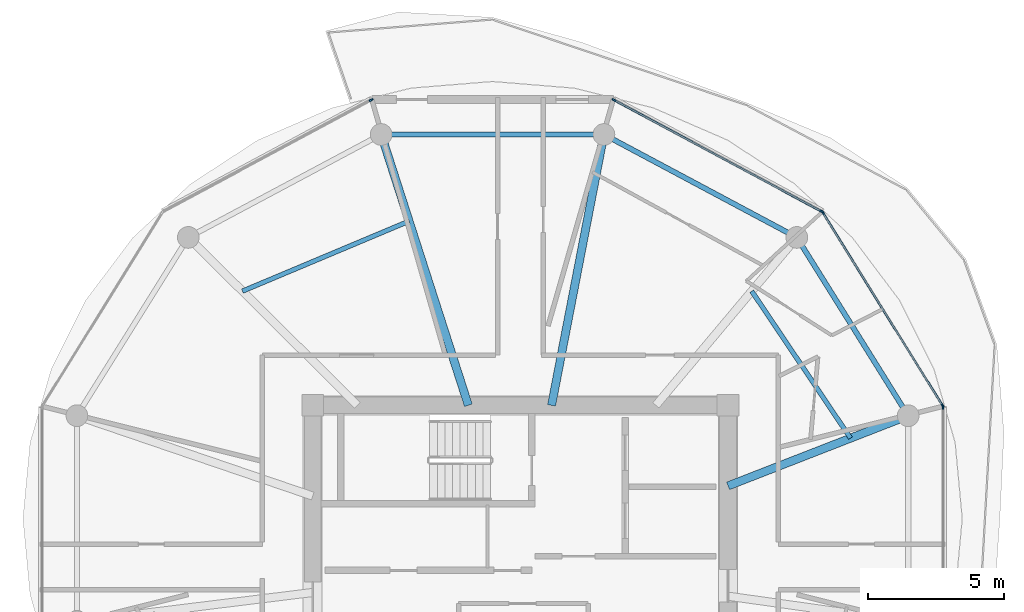
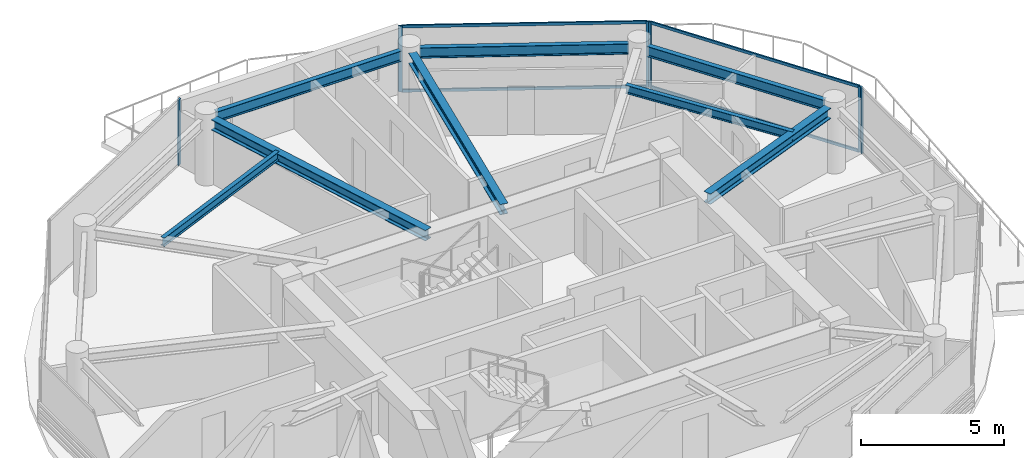
# One storey, part 10 of 22: 10 members, 8 beams, 4 elements without a shape of their own.
"""IFC4 building model written with IfcOpenShell, lengths in metres."""

from ifc_helpers import new_model, si_unit, direction, frame, origin, origin_2d, place, context, subcontext, project, spatial, rectangle, i_section, extrude, source, transform, mapped, material, layer, layer_set, material_profile, profile_set, type_object, type_shapes, element, aggregate, save


model = new_model("IFC4")

# Units and contexts
model_context = context("Model", 3, precision=1e-05, world=origin(), true_north=direction((0.0, 1.0)))
body_context = subcontext(model_context, "Body", "Model", "MODEL_VIEW")
ifc_project = project(units=[si_unit("LENGTHUNIT", "METRE"), si_unit("AREAUNIT", "SQUARE_METRE"), si_unit("VOLUMEUNIT", "CUBIC_METRE"), si_unit("PLANEANGLEUNIT", "RADIAN"), si_unit("MASSUNIT", "GRAM", prefix="KILO")], contexts=[model_context])

# Site, building, storey
site_placement = place(None, origin())
site = spatial("IfcSite", under=ifc_project, at=site_placement, CompositionType="ELEMENT")
building_placement = place(site_placement, origin())
building = spatial("IfcBuilding", under=site, at=building_placement, Name="Norrkilde Senior Care Towers", CompositionType="ELEMENT")
storey_placement = place(building_placement, frame((0.0, 0.0, 170.89990234375)))
storey = spatial("IfcBuildingStorey", under=building, at=storey_placement, Name="L53", CompositionType="ELEMENT", Elevation=170.89990234375)

# Beams
ifc_material_1 = material(Name="Steel S355", Category="steel")
ifc_material_profile_1 = material_profile(ifc_material_1, i_section(OverallWidth=0.18994140625, OverallDepth=0.449951171875, WebThickness=0.009521484375, FlangeThickness=0.0146484375, FilletRadius=0.02099609375, at=origin_2d()), Name="IPE 450")
ifc_profile_set_1 = profile_set([ifc_material_profile_1], Name="Steel S355")
beam_type_1 = type_object("IfcBeamType", Name="Perimeter Ring Spandrel Z3 IPE450", PredefinedType="SPANDREL", material=ifc_profile_set_1)
shared_shape_1 = source(origin(), body_context, "Body", "SweptSolid", [
    extrude(i_section(OverallWidth=0.18994140625, OverallDepth=0.449951171875, WebThickness=0.009521484375, FlangeThickness=0.0146484375, FilletRadius=0.02099609375, at=origin_2d()), origin(), (0.0, 0.0, 1.0), 7.0234375),
])
beam_1_placement = place(storey_placement, frame((42.09423828125, 5.872314453125, 2.585205078125), z_axis=(-0.529789577822, 0.848129119433, 0.0), x_axis=(-0.848129119433, -0.529789577822, 0.0)))
element("IfcBeam", 1, at=beam_1_placement, inside=storey, type_object=beam_type_1, Name="L53 Drum E Perimeter Spandrel 01", PredefinedType="SPANDREL", context=body_context, shape_type="MappedRepresentation", body=[
    mapped(shared_shape_1, transform((0.0, 0.0, 0.0), x_axis=(1.0, 0.0, 0.0), y_axis=(0.0, 1.0, 0.0), z_axis=(0.0, 0.0, 1.0), scale=1.0)),
])
shared_shape_2 = source(origin(), body_context, "Body", "SweptSolid", [
    extrude(i_section(OverallWidth=0.18994140625, OverallDepth=0.449951171875, WebThickness=0.009521484375, FlangeThickness=0.0146484375, FilletRadius=0.02099609375, at=origin_2d()), origin(), (0.0, 0.0, 1.0), 7.333740234375),
])
beam_2_placement = place(storey_placement, frame((37.864990234375, 12.303955078125, 2.585205078125), z_axis=(-0.882247866069, 0.470785198172, 0.0), x_axis=(-0.470785198172, -0.882247866069, 0.0)))
element("IfcBeam", 2, at=beam_2_placement, inside=storey, type_object=beam_type_1, Name="L53 Drum E Perimeter Spandrel 02", PredefinedType="SPANDREL", context=body_context, shape_type="MappedRepresentation", body=[
    mapped(shared_shape_2, transform((0.0, 0.0, 0.0), x_axis=(1.0, 0.0, 0.0), y_axis=(0.0, 1.0, 0.0), z_axis=(0.0, 0.0, 1.0), scale=1.0)),
])
shared_shape_3 = source(origin(), body_context, "Body", "SweptSolid", [
    extrude(i_section(OverallWidth=0.18994140625, OverallDepth=0.449951171875, WebThickness=0.009521484375, FlangeThickness=0.0146484375, FilletRadius=0.02099609375, at=origin_2d()), origin(), (0.0, 0.0, 1.0), 7.484619140625),
])
type_shapes(beam_type_1, [shared_shape_1, shared_shape_2, shared_shape_3])
beam_3_placement = place(storey_placement, frame((30.71728515625, 15.92626953125, 2.585205078125), z_axis=(-1.0, 0.0, 0.0), x_axis=(0.0, -1.0, 0.0)))
element("IfcBeam", 3, at=beam_3_placement, inside=storey, type_object=beam_type_1, Name="L53 Drum E Perimeter Spandrel 03", PredefinedType="SPANDREL", context=body_context, shape_type="MappedRepresentation", body=[
    mapped(shared_shape_3, transform((0.0, 0.0, 0.0), x_axis=(1.0, 0.0, 0.0), y_axis=(0.0, 1.0, 0.0), z_axis=(0.0, 0.0, 1.0), scale=1.0)),
])
ifc_material_profile_2 = material_profile(ifc_material_1, i_section(OverallWidth=0.300048828125, OverallDepth=0.449951171875, WebThickness=0.013916015625, FlangeThickness=0.02587890625, FilletRadius=0.027099609375, at=origin_2d()), Name="HEB 450")
ifc_profile_set_2 = profile_set([ifc_material_profile_2], Name="Steel S355")
beam_type_2 = type_object("IfcBeamType", Name="Radial Floor Beam Z3 HEB450", PredefinedType="BEAM", material=ifc_profile_set_2)
shared_shape_4 = source(origin(), body_context, "Body", "SweptSolid", [
    extrude(i_section(OverallWidth=0.300048828125, OverallDepth=0.449951171875, WebThickness=0.013916015625, FlangeThickness=0.02587890625, FilletRadius=0.027099609375, at=origin_2d()), origin(), (0.0, 0.0, 1.0), 10.120361328125),
])
beam_4_placement = place(storey_placement, frame((26.08447265625, 5.949951171875, 2.585205078125), z_axis=(-0.306440973744, 0.951889662519, 0.0), x_axis=(-0.951889662519, -0.306440973744, 0.0)))
element("IfcBeam", 4, at=beam_4_placement, inside=storey, type_object=beam_type_2, Name="L53 Drum E Radial Floor Beam 04", PredefinedType="BEAM", context=body_context, shape_type="MappedRepresentation", body=[
    mapped(shared_shape_4, transform((0.0, 0.0, 0.0), x_axis=(1.0, 0.0, 0.0), y_axis=(0.0, 1.0, 0.0), z_axis=(0.0, 0.0, 1.0), scale=1.0)),
])
shared_shape_5 = source(origin(), body_context, "Body", "SweptSolid", [
    extrude(i_section(OverallWidth=0.300048828125, OverallDepth=0.449951171875, WebThickness=0.013916015625, FlangeThickness=0.02587890625, FilletRadius=0.027099609375, at=origin_2d()), origin(), (0.0, 0.0, 1.0), 9.80078125),
])
beam_5_placement = place(storey_placement, frame((29.149658203125, 5.949951171875, 2.585205078125), z_axis=(0.189716727661, 0.98183886827, 0.0), x_axis=(-0.98183886827, 0.189716727661, 0.0)))
element("IfcBeam", 5, at=beam_5_placement, inside=storey, type_object=beam_type_2, Name="L53 Drum E Radial Floor Beam 03", PredefinedType="BEAM", context=body_context, shape_type="MappedRepresentation", body=[
    mapped(shared_shape_5, transform((0.0, 0.0, 0.0), x_axis=(1.0, 0.0, 0.0), y_axis=(0.0, 1.0, 0.0), z_axis=(0.0, 0.0, 1.0), scale=1.0)),
])
shared_shape_6 = source(origin(), body_context, "Body", "SweptSolid", [
    extrude(i_section(OverallWidth=0.300048828125, OverallDepth=0.449951171875, WebThickness=0.013916015625, FlangeThickness=0.02587890625, FilletRadius=0.027099609375, at=origin_2d()), origin(), (0.0, 0.0, 1.0), 6.760986328125),
])
type_shapes(beam_type_2, [shared_shape_4, shared_shape_5, shared_shape_6])
beam_6_placement = place(storey_placement, frame((35.64990234375, 2.981201171875, 2.585205078125), z_axis=(0.931742171387, 0.363120539297, 0.0), x_axis=(-0.363120539297, 0.931742171387, 0.0)))
element("IfcBeam", 6, at=beam_6_placement, inside=storey, type_object=beam_type_2, Name="L53 Drum E Radial Floor Beam 01", PredefinedType="BEAM", context=body_context, shape_type="MappedRepresentation", body=[
    mapped(shared_shape_6, transform((0.0, 0.0, 0.0), x_axis=(1.0, 0.0, 0.0), y_axis=(0.0, 1.0, 0.0), z_axis=(0.0, 0.0, 1.0), scale=1.0)),
])
ifc_material_profile_3 = material_profile(ifc_material_1, i_section(OverallWidth=0.169921875, OverallDepth=0.360107421875, WebThickness=0.008056640625, FlangeThickness=0.0126953125, FilletRadius=0.01806640625, at=origin_2d()), Name="IPE 360")
ifc_profile_set_3 = profile_set([ifc_material_profile_3], Name="Steel S355")
beam_type_3 = type_object("IfcBeamType", Name="Secondary Floor Joist IPE360", PredefinedType="JOIST", material=ifc_profile_set_3)
shared_shape_7 = source(origin(), body_context, "Body", "SweptSolid", [
    extrude(i_section(OverallWidth=0.169921875, OverallDepth=0.360107421875, WebThickness=0.008056640625, FlangeThickness=0.0126953125, FilletRadius=0.01806640625, at=origin_2d()), origin(), (0.0, 0.0, 1.0), 6.657470703125),
])
beam_7_placement = place(storey_placement, frame((23.900390625, 12.73388671875, 2.630126953125), z_axis=(-0.921958799252, -0.387287971, 0.0), x_axis=(0.387287971, -0.921958799252, 0.0)))
element("IfcBeam", 7, at=beam_7_placement, inside=storey, type_object=beam_type_3, Name="L53 Drum E Secondary Floor Joist 2", PredefinedType="JOIST", context=body_context, shape_type="MappedRepresentation", body=[
    mapped(shared_shape_7, transform((0.0, 0.0, 0.0), x_axis=(1.0, 0.0, 0.0), y_axis=(0.0, 1.0, 0.0), z_axis=(0.0, 0.0, 1.0), scale=1.0)),
])
shared_shape_8 = source(origin(), body_context, "Body", "SweptSolid", [
    extrude(i_section(OverallWidth=0.169921875, OverallDepth=0.360107421875, WebThickness=0.008056640625, FlangeThickness=0.0126953125, FilletRadius=0.01806640625, at=origin_2d()), origin(), (0.0, 0.0, 1.0), 6.525390625),
])
type_shapes(beam_type_3, [shared_shape_7, shared_shape_8])
beam_8_placement = place(storey_placement, frame((40.161865234375, 4.739501953125, 2.630126953125), z_axis=(-0.55779590102, 0.829978152005, 0.0), x_axis=(-0.829978152005, -0.55779590102, 0.0)))
element("IfcBeam", 8, at=beam_8_placement, inside=storey, type_object=beam_type_3, Name="L53 Drum E Secondary Floor Joist 1", PredefinedType="JOIST", context=body_context, shape_type="MappedRepresentation", body=[
    mapped(shared_shape_8, transform((0.0, 0.0, 0.0), x_axis=(1.0, 0.0, 0.0), y_axis=(0.0, 1.0, 0.0), z_axis=(0.0, 0.0, 1.0), scale=1.0)),
])

# Curtain wall, members
ifc_material_2 = material(Name="Triple Low-E Insulated Glazing", Category="glass")
ifc_layer = layer(ifc_material_2, 0.18994140625)
ifc_layer_set = layer_set([ifc_layer], Name="Triple Low-E Insulated Glazing")
curtain_wall_type = type_object("IfcCurtainWallType", Name="CW4 Zone 3 Senior Residence Curtain Wall", PredefinedType="NOTDEFINED", material=ifc_layer_set)
curtain_wall_1_placement = place(storey_placement, origin())
curtain_wall_1 = element("IfcCurtainWall", 9, at=curtain_wall_1_placement, inside=storey, type_object=curtain_wall_type, Name="L53 Drum E Curtain Wall 00", PredefinedType="NOTDEFINED")
ifc_material_3 = material(Name="Anodised Aluminium", Category="aluminium")
ifc_material_profile_4 = material_profile(ifc_material_3, rectangle(XDim=0.06494140625, YDim=0.14990234375, at=origin_2d()), Name="ALU MULL 65x150")
ifc_profile_set_4 = profile_set([ifc_material_profile_4], Name="Anodised Aluminium")
member_type_1 = type_object("IfcMemberType", Name="Curtain Wall Mullion Z3-Z4 65x150", PredefinedType="MULLION", material=ifc_profile_set_4)
shared_shape_9 = source(origin(), body_context, "Body", "SweptSolid", [
    extrude(rectangle(XDim=0.06494140625, YDim=0.14990234375, at=origin_2d()), origin(), (0.0, 0.0, 1.0), 2.81005859375),
])
type_shapes(member_type_1, [shared_shape_9])
member_1_placement = place(storey_placement, frame((39.14013671875, 13.04736328125, 0.0), z_axis=(0.0, 0.0, 1.0), x_axis=(0.84963405474, 0.52737270789, 0.0)))
member_1 = element("IfcMember", 10, at=member_1_placement, type_object=member_type_1, Name="CW-4 mullion 1", PredefinedType="MULLION", context=body_context, shape_type="MappedRepresentation", body=[
    mapped(shared_shape_9, transform((0.0, 0.0, 0.0), x_axis=(1.0, 0.0, 0.0), y_axis=(0.0, 1.0, 0.0), z_axis=(0.0, 0.0, 1.0), scale=1.0)),
])
member_2_placement = place(storey_placement, frame((43.552490234375, 5.93896484375, 0.0), z_axis=(0.0, 0.0, 1.0), x_axis=(0.84963405474, 0.52737270789, 0.0)))
member_2 = element("IfcMember", 11, at=member_2_placement, type_object=member_type_1, Name="CW-4 mullion 2", PredefinedType="MULLION", context=body_context, shape_type="MappedRepresentation", body=[
    mapped(shared_shape_9, transform((0.0, 0.0, 0.0), x_axis=(1.0, 0.0, 0.0), y_axis=(0.0, 1.0, 0.0), z_axis=(0.0, 0.0, 1.0), scale=1.0)),
])

curtain_wall_2_placement = place(storey_placement, origin())
curtain_wall_2 = element("IfcCurtainWall", 12, at=curtain_wall_2_placement, inside=storey, type_object=curtain_wall_type, Name="L53 Drum E Curtain Wall 01", PredefinedType="NOTDEFINED")
member_3_placement = place(storey_placement, frame((31.4501953125, 17.195556640625, 0.0), z_axis=(0.0, 0.0, 1.0), x_axis=(0.47311715104, 0.880999524059, 0.0)))
member_3 = element("IfcMember", 13, at=member_3_placement, type_object=member_type_1, Name="CW-4 mullion 1", PredefinedType="MULLION", context=body_context, shape_type="MappedRepresentation", body=[
    mapped(shared_shape_9, transform((0.0, 0.0, 0.0), x_axis=(1.0, 0.0, 0.0), y_axis=(0.0, 1.0, 0.0), z_axis=(0.0, 0.0, 1.0), scale=1.0)),
])
member_4_placement = place(storey_placement, frame((39.094482421875, 13.09033203125, 0.0), z_axis=(0.0, 0.0, 1.0), x_axis=(0.47311715104, 0.880999524059, 0.0)))
member_4 = element("IfcMember", 14, at=member_4_placement, type_object=member_type_1, Name="CW-4 mullion 2", PredefinedType="MULLION", context=body_context, shape_type="MappedRepresentation", body=[
    mapped(shared_shape_9, transform((0.0, 0.0, 0.0), x_axis=(1.0, 0.0, 0.0), y_axis=(0.0, 1.0, 0.0), z_axis=(0.0, 0.0, 1.0), scale=1.0)),
])

# Curtain wall, member
curtain_wall_3_placement = place(storey_placement, origin())
curtain_wall_3 = element("IfcCurtainWall", 15, at=curtain_wall_3_placement, inside=storey, type_object=curtain_wall_type, Name="L53 Drum E Curtain Wall 03", PredefinedType="NOTDEFINED")
member_5_placement = place(storey_placement, frame((22.499755859375, 17.195556640625, 0.0), z_axis=(0.0, 0.0, 1.0), x_axis=(-0.47311715104, 0.880999524059, 0.0)))
member_5 = element("IfcMember", 16, at=member_5_placement, type_object=member_type_1, Name="CW-4 mullion 2", PredefinedType="MULLION", context=body_context, shape_type="MappedRepresentation", body=[
    mapped(shared_shape_9, transform((0.0, 0.0, 0.0), x_axis=(1.0, 0.0, 0.0), y_axis=(0.0, 1.0, 0.0), z_axis=(0.0, 0.0, 1.0), scale=1.0)),
])
aggregate(curtain_wall_3, [member_5])

curtain_wall_4_placement = place(storey_placement, origin())
curtain_wall_4 = element("IfcCurtainWall", 17, at=curtain_wall_4_placement, inside=storey, type_object=curtain_wall_type, Name="L53 Drum E Curtain Wall 11", PredefinedType="NOTDEFINED")
member_6_placement = place(storey_placement, frame((43.569580078125, 5.878662109375, 0.0), z_axis=(0.0, 0.0, 1.0), x_axis=(1.0, 0.0, 0.0)))
member_6 = element("IfcMember", 18, at=member_6_placement, type_object=member_type_1, Name="CW-4 mullion 1", PredefinedType="MULLION", context=body_context, shape_type="MappedRepresentation", body=[
    mapped(shared_shape_9, transform((0.0, 0.0, 0.0), x_axis=(1.0, 0.0, 0.0), y_axis=(0.0, 1.0, 0.0), z_axis=(0.0, 0.0, 1.0), scale=1.0)),
])
aggregate(curtain_wall_4, [member_6])

# Member
ifc_material_profile_5 = material_profile(ifc_material_3, rectangle(XDim=0.06005859375, YDim=0.1201171875, at=origin_2d()), Name="ALU TRAN 60x120")
ifc_profile_set_5 = profile_set([ifc_material_profile_5], Name="Anodised Aluminium")
member_type_2 = type_object("IfcMemberType", Name="Curtain Wall Transom Typical 60x120", PredefinedType="USERDEFINED", material=ifc_profile_set_5)
shared_shape_10 = source(origin(), body_context, "Body", "SweptSolid", [
    extrude(rectangle(XDim=0.06005859375, YDim=0.1201171875, at=origin_2d()), origin(), (0.0, 0.0, 1.0), 8.301513671875),
])
member_7_placement = place(storey_placement, frame((39.157470703125, 13.019775390625, 0.030029296875), z_axis=(0.527368718394, -0.849636531029, 0.0), x_axis=(0.849636531029, 0.527368718394, 0.0)))
member_7 = element("IfcMember", 19, at=member_7_placement, type_object=member_type_2, Name="CW-4 transom 1.1", ObjectType="TRANSOM", PredefinedType="USERDEFINED", context=body_context, shape_type="MappedRepresentation", body=[
    mapped(shared_shape_10, transform((0.0, 0.0, 0.0), x_axis=(1.0, 0.0, 0.0), y_axis=(0.0, 1.0, 0.0), z_axis=(0.0, 0.0, 1.0), scale=1.0)),
])

member_8_placement = place(storey_placement, frame((39.157470703125, 13.019775390625, 2.780029296875), z_axis=(0.527368718394, -0.849636531029, 0.0), x_axis=(0.849636531029, 0.527368718394, 0.0)))
member_8 = element("IfcMember", 20, at=member_8_placement, type_object=member_type_2, Name="CW-4 transom 1.2", ObjectType="TRANSOM", PredefinedType="USERDEFINED", context=body_context, shape_type="MappedRepresentation", body=[
    mapped(shared_shape_10, transform((0.0, 0.0, 0.0), x_axis=(1.0, 0.0, 0.0), y_axis=(0.0, 1.0, 0.0), z_axis=(0.0, 0.0, 1.0), scale=1.0)),
])

aggregate(curtain_wall_1, [member_1, member_2, member_7, member_8])

shared_shape_11 = source(origin(), body_context, "Body", "SweptSolid", [
    extrude(rectangle(XDim=0.06005859375, YDim=0.1201171875, at=origin_2d()), origin(), (0.0, 0.0, 1.0), 8.612060546875),
])
type_shapes(member_type_2, [shared_shape_10, shared_shape_11])
member_9_placement = place(storey_placement, frame((31.478759765625, 17.18017578125, 0.030029296875), z_axis=(0.881000337462, -0.473115636384, 0.0), x_axis=(0.473115636384, 0.881000337462, 0.0)))
member_9 = element("IfcMember", 21, at=member_9_placement, type_object=member_type_2, Name="CW-4 transom 1.1", ObjectType="TRANSOM", PredefinedType="USERDEFINED", context=body_context, shape_type="MappedRepresentation", body=[
    mapped(shared_shape_11, transform((0.0, 0.0, 0.0), x_axis=(1.0, 0.0, 0.0), y_axis=(0.0, 1.0, 0.0), z_axis=(0.0, 0.0, 1.0), scale=1.0)),
])

member_10_placement = place(storey_placement, frame((31.478759765625, 17.18017578125, 2.780029296875), z_axis=(0.881000337462, -0.473115636384, 0.0), x_axis=(0.473115636384, 0.881000337462, 0.0)))
member_10 = element("IfcMember", 22, at=member_10_placement, type_object=member_type_2, Name="CW-4 transom 1.2", ObjectType="TRANSOM", PredefinedType="USERDEFINED", context=body_context, shape_type="MappedRepresentation", body=[
    mapped(shared_shape_11, transform((0.0, 0.0, 0.0), x_axis=(1.0, 0.0, 0.0), y_axis=(0.0, 1.0, 0.0), z_axis=(0.0, 0.0, 1.0), scale=1.0)),
])

aggregate(curtain_wall_2, [member_3, member_4, member_9, member_10])

save(model, "model.ifc")
